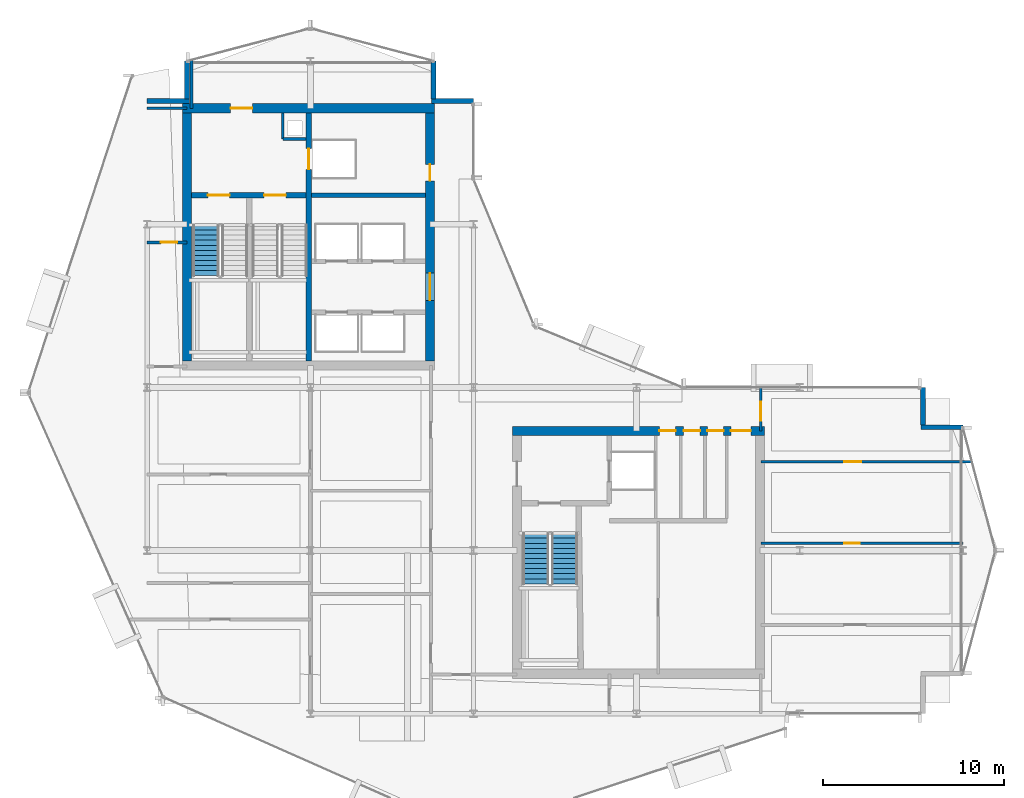
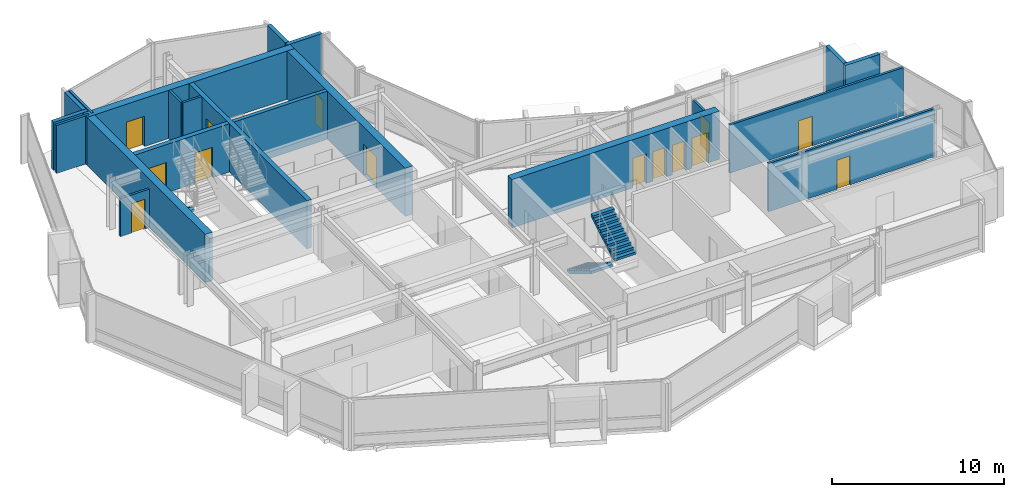
# One storey, part 21 of 28: 21 walls, 14 doors, 3 stair flights, 14 openings, 2 elements without a shape of their own.
"""IFC4 building model written with IfcOpenShell, lengths in metres."""

from ifc_helpers import new_model, si_unit, direction, frame, frame_2d, origin, place, context, subcontext, project, spatial, polyline, rectangle, outline, extrude, material, layer, layer_set, type_object, element, fill, aggregate, save


model = new_model("IFC4")

# Units and contexts
model_context = context("Model", 3, precision=1e-05, world=origin(), true_north=direction((0.0, 1.0)))
body_context = subcontext(model_context, "Body", "Model", "MODEL_VIEW")
ifc_project = project(units=[si_unit("LENGTHUNIT", "METRE"), si_unit("AREAUNIT", "SQUARE_METRE"), si_unit("VOLUMEUNIT", "CUBIC_METRE"), si_unit("PLANEANGLEUNIT", "RADIAN"), si_unit("MASSUNIT", "GRAM", prefix="KILO")], contexts=[model_context])

# Site, building, storey
site_placement = place(None, origin())
site = spatial("IfcSite", under=ifc_project, at=site_placement, CompositionType="ELEMENT")
building_placement = place(site_placement, origin())
building = spatial("IfcBuilding", under=site, at=building_placement, Name="Solvaryn Broadcast Tower", CompositionType="ELEMENT")
storey_placement = place(building_placement, frame((0.0, 0.0, 209.89990234375)))
storey = spatial("IfcBuildingStorey", under=building, at=storey_placement, Name="L52", CompositionType="ELEMENT", Elevation=209.89990234375)

# Wall, opening, door
ifc_material_1 = material(Name="Concrete f'c 70 MPa", Category="concrete")
ifc_layer_1 = layer(ifc_material_1, 0.5)
ifc_layer_set_1 = layer_set([ifc_layer_1], Name="CW-SHEAR-500")
wall_type_1 = type_object("IfcWallType", Name="CW-SHEAR-500", PredefinedType="SHEAR", material=ifc_layer_set_1)
wall_1_placement = place(storey_placement, frame((24.85009765625, 42.39990234375, 0.0), z_axis=(0.0, 0.0, 1.0), x_axis=(-1.0, 0.0, 0.0)))
wall_1 = element("IfcWall", 1, at=wall_1_placement, inside=storey, type_object=wall_type_1, Name="L52 West Core North Shear Wall", PredefinedType="SHEAR", context=body_context, shape_type="SweptSolid", body=[
    extrude(rectangle(XDim=13.900146484375, YDim=0.5, at=frame_2d((6.9501953125, 0.0))), origin(), (0.0, 0.0, 1.0), 3.420166015625),
])
opening_1_placement = place(wall_1_placement, frame((10.050048828125, 0.0, 0.0)))
opening_1 = element("IfcOpeningElement", 2, at=opening_1_placement, cuts=wall_1, Name="Opening FD90A", PredefinedType="OPENING", context=body_context, shape_type="SweptSolid", body=[
    extrude(rectangle(XDim=1.199951171875, YDim=2.14990234375, at=frame_2d((0.60009765625, 1.074951171875))), frame((0.0, 0.260009765625, 0.0), z_axis=(0.0, -1.0, 0.0), x_axis=(1.0, 0.0, 0.0)), (0.0, 0.0, 1.0), 0.52001953125),
])
ifc_material_2 = material(Name="Flush Acoustic Steel and Timber Door Assembly", Category="steel")
door_type_1 = type_object("IfcDoorType", Name="FD90-STAIR-1200X2150", OperationType="NOTDEFINED", PredefinedType="DOOR", material=ifc_material_2)
door_1_placement = place(opening_1_placement, origin())
door_1 = element("IfcDoor", 3, at=door_1_placement, inside=storey, type_object=door_type_1, Name="L52 West FSAE Lobby Corridor Door", OperationType="SINGLE_SWING_LEFT", OverallHeight=2.14990234375, OverallWidth=1.199951171875, PredefinedType="DOOR", context=body_context, shape_type="SweptSolid", body=[
    extrude(rectangle(XDim=1.199951171875, YDim=2.14990234375, at=frame_2d((0.60009765625, 1.074951171875))), frame((0.0, 0.02490234375, 0.0), z_axis=(0.0, -1.0, 0.0), x_axis=(1.0, 0.0, 0.0)), (0.0, 0.0, 1.0), 0.050048828125),
])
fill(opening_1, door_1)

# Wall
wall_2_placement = place(storey_placement, frame((11.199951171875, 42.14990234375, 0.0), z_axis=(0.0, 0.0, 1.0), x_axis=(0.0, -1.0, 0.0)))
element("IfcWall", 4, at=wall_2_placement, inside=storey, type_object=wall_type_1, Name="L52 West Core West Shear Wall", PredefinedType="SHEAR", context=body_context, shape_type="SweptSolid", body=[
    extrude(rectangle(XDim=13.699951171875, YDim=0.5, at=frame_2d((6.85009765625, 0.0))), origin(), (0.0, 0.0, 1.0), 3.420166015625),
])

# Wall, openings, doors
wall_3_placement = place(storey_placement, frame((24.60009765625, 28.449951171875, 0.0), z_axis=(0.0, 0.0, 1.0), x_axis=(0.0, 1.0, 0.0)))
wall_3 = element("IfcWall", 5, at=wall_3_placement, inside=storey, type_object=wall_type_1, Name="L52 West Core East Shear Wall", PredefinedType="SHEAR", context=body_context, shape_type="SweptSolid", body=[
    extrude(rectangle(XDim=13.699951171875, YDim=0.5, at=frame_2d((6.85009765625, 0.0))), origin(), (0.0, 0.0, 1.0), 3.420166015625),
])
opening_2_placement = place(wall_3_placement, frame((3.35009765625, 0.0, 0.0)))
opening_2 = element("IfcOpeningElement", 6, at=opening_2_placement, cuts=wall_3, Name="Opening FD60A", PredefinedType="OPENING", context=body_context, shape_type="SweptSolid", body=[
    extrude(rectangle(XDim=1.5, YDim=2.199951171875, at=frame_2d((0.75, 1.10009765625))), frame((0.0, 0.260009765625, 0.0), z_axis=(0.0, -1.0, 0.0), x_axis=(1.0, 0.0, 0.0)), (0.0, 0.0, 1.0), 0.52001953125),
])
opening_3_placement = place(wall_3_placement, frame((9.949951171875, 0.0, 0.0)))
opening_3 = element("IfcOpeningElement", 7, at=opening_3_placement, cuts=wall_3, Name="Opening FD60C", PredefinedType="OPENING", context=body_context, shape_type="SweptSolid", body=[
    extrude(rectangle(XDim=0.89990234375, YDim=2.10009765625, at=frame_2d((0.449951171875, 1.050048828125))), frame((0.0, 0.260009765625, 0.0), z_axis=(0.0, -1.0, 0.0), x_axis=(1.0, 0.0, 0.0)), (0.0, 0.0, 1.0), 0.52001953125),
])
ifc_material_3 = material(Name="Flush Acoustic Steel and Timber Door Assembly", Category="steel")
door_type_2 = type_object("IfcDoorType", Name="FD60-CORR-1500X2200", OperationType="NOTDEFINED", PredefinedType="DOOR", material=ifc_material_3)
door_2_placement = place(opening_2_placement, origin())
door_2 = element("IfcDoor", 8, at=door_2_placement, inside=storey, type_object=door_type_2, Name="L52 West Elevator Lobby Corridor Door", OperationType="DOUBLE_DOOR_SINGLE_SWING", OverallHeight=2.199951171875, OverallWidth=1.5, PredefinedType="DOOR", context=body_context, shape_type="SweptSolid", body=[
    extrude(rectangle(XDim=1.5, YDim=2.199951171875, at=frame_2d((0.75, 1.10009765625))), frame((0.0, 0.02490234375, 0.0), z_axis=(0.0, -1.0, 0.0), x_axis=(1.0, 0.0, 0.0)), (0.0, 0.0, 1.0), 0.050048828125),
])
fill(opening_2, door_2)
ifc_material_4 = material(Name="Flush Acoustic Steel and Timber Door Assembly", Category="steel")
door_type_3 = type_object("IfcDoorType", Name="FD60-SERV-900X2100", OperationType="NOTDEFINED", PredefinedType="DOOR", material=ifc_material_4)
door_3_placement = place(opening_3_placement, origin())
door_3 = element("IfcDoor", 9, at=door_3_placement, inside=storey, type_object=door_type_3, Name="L52 West Core Service Door 1", OperationType="SINGLE_SWING_LEFT", OverallHeight=2.10009765625, OverallWidth=0.89990234375, PredefinedType="DOOR", context=body_context, shape_type="SweptSolid", body=[
    extrude(rectangle(XDim=0.89990234375, YDim=2.10009765625, at=frame_2d((0.449951171875, 1.050048828125))), frame((0.0, 0.02490234375, 0.0), z_axis=(0.0, -1.0, 0.0), x_axis=(1.0, 0.0, 0.0)), (0.0, 0.0, 1.0), 0.050048828125),
])
fill(opening_3, door_3)

wall_4_placement = place(storey_placement, frame((43.050048828125, 24.60009765625, 0.0), z_axis=(0.0, 0.0, 1.0), x_axis=(-1.0, 0.0, 0.0)))
wall_4 = element("IfcWall", 10, at=wall_4_placement, inside=storey, type_object=wall_type_1, Name="L52 East Core North Shear Wall", PredefinedType="SHEAR", context=body_context, shape_type="SweptSolid", body=[
    extrude(rectangle(XDim=13.900146484375, YDim=0.5, at=frame_2d((6.9501953125, 0.0))), origin(), (0.0, 0.0, 1.0), 3.420166015625),
])
opening_4_placement = place(wall_4_placement, frame((0.75, 0.0, 0.0)))
opening_4 = element("IfcOpeningElement", 11, at=opening_4_placement, cuts=wall_4, Name="Opening FD90C", PredefinedType="OPENING", context=body_context, shape_type="SweptSolid", body=[
    extrude(rectangle(XDim=1.10009765625, YDim=2.14990234375, at=frame_2d((0.550048828125, 1.074951171875))), frame((0.0, 0.260009765625, 0.0), z_axis=(0.0, -1.0, 0.0), x_axis=(1.0, 0.0, 0.0)), (0.0, 0.0, 1.0), 0.52001953125),
])
opening_5_placement = place(wall_4_placement, frame((2.25, 0.0, 0.0)))
opening_5 = element("IfcOpeningElement", 12, at=opening_5_placement, cuts=wall_4, Name="Opening FD60C", PredefinedType="OPENING", context=body_context, shape_type="SweptSolid", body=[
    extrude(rectangle(XDim=0.89990234375, YDim=2.10009765625, at=frame_2d((0.449951171875, 1.050048828125))), frame((0.0, 0.260009765625, 0.0), z_axis=(0.0, -1.0, 0.0), x_axis=(1.0, 0.0, 0.0)), (0.0, 0.0, 1.0), 0.52001953125),
])
opening_6_placement = place(wall_4_placement, frame((3.550048828125, 0.0, 0.0)))
opening_6 = element("IfcOpeningElement", 13, at=opening_6_placement, cuts=wall_4, Name="Opening FD60C", PredefinedType="OPENING", context=body_context, shape_type="SweptSolid", body=[
    extrude(rectangle(XDim=0.89990234375, YDim=2.10009765625, at=frame_2d((0.449951171875, 1.050048828125))), frame((0.0, 0.260009765625, 0.0), z_axis=(0.0, -1.0, 0.0), x_axis=(1.0, 0.0, 0.0)), (0.0, 0.0, 1.0), 0.52001953125),
])
opening_7_placement = place(wall_4_placement, frame((4.89990234375, 0.0, 0.0)))
opening_7 = element("IfcOpeningElement", 14, at=opening_7_placement, cuts=wall_4, Name="Opening FD60C", PredefinedType="OPENING", context=body_context, shape_type="SweptSolid", body=[
    extrude(rectangle(XDim=0.89990234375, YDim=2.10009765625, at=frame_2d((0.449951171875, 1.050048828125))), frame((0.0, 0.260009765625, 0.0), z_axis=(0.0, -1.0, 0.0), x_axis=(1.0, 0.0, 0.0)), (0.0, 0.0, 1.0), 0.52001953125),
])
door_4_placement = place(opening_5_placement, origin())
door_4 = element("IfcDoor", 15, at=door_4_placement, inside=storey, type_object=door_type_3, Name="L52 Core Wellness Room Door", OperationType="SINGLE_SWING_RIGHT", OverallHeight=2.10009765625, OverallWidth=0.89990234375, PredefinedType="DOOR", context=body_context, shape_type="SweptSolid", body=[
    extrude(rectangle(XDim=0.89990234375, YDim=2.10009765625, at=frame_2d((0.449951171875, 1.050048828125))), frame((0.0, 0.02490234375, 0.0), z_axis=(0.0, -1.0, 0.0), x_axis=(1.0, 0.0, 0.0)), (0.0, 0.0, 1.0), 0.050048828125),
])
fill(opening_5, door_4)
door_5_placement = place(opening_6_placement, origin())
door_5 = element("IfcDoor", 16, at=door_5_placement, inside=storey, type_object=door_type_3, Name="L52 Staff Restroom Door", OperationType="SINGLE_SWING_LEFT", OverallHeight=2.10009765625, OverallWidth=0.89990234375, PredefinedType="DOOR", context=body_context, shape_type="SweptSolid", body=[
    extrude(rectangle(XDim=0.89990234375, YDim=2.10009765625, at=frame_2d((0.449951171875, 1.050048828125))), frame((0.0, 0.02490234375, 0.0), z_axis=(0.0, -1.0, 0.0), x_axis=(1.0, 0.0, 0.0)), (0.0, 0.0, 1.0), 0.050048828125),
])
fill(opening_6, door_5)
door_6_placement = place(opening_7_placement, origin())
door_6 = element("IfcDoor", 17, at=door_6_placement, inside=storey, type_object=door_type_3, Name="L52 Accessible WC Door", OperationType="SINGLE_SWING_RIGHT", OverallHeight=2.10009765625, OverallWidth=0.89990234375, PredefinedType="DOOR", context=body_context, shape_type="SweptSolid", body=[
    extrude(rectangle(XDim=0.89990234375, YDim=2.10009765625, at=frame_2d((0.449951171875, 1.050048828125))), frame((0.0, 0.02490234375, 0.0), z_axis=(0.0, -1.0, 0.0), x_axis=(1.0, 0.0, 0.0)), (0.0, 0.0, 1.0), 0.050048828125),
])
fill(opening_7, door_6)
ifc_material_5 = material(Name="Flush Acoustic Steel and Timber Door Assembly", Category="steel")
door_type_4 = type_object("IfcDoorType", Name="FD90-PLANT-1100X2150", OperationType="NOTDEFINED", PredefinedType="DOOR", material=ifc_material_5)
door_7_placement = place(opening_4_placement, origin())
door_7 = element("IfcDoor", 18, at=door_7_placement, inside=storey, type_object=door_type_4, Name="L52 East Core Lobby Corridor Door", OperationType="SINGLE_SWING_LEFT", OverallHeight=2.14990234375, OverallWidth=1.10009765625, PredefinedType="DOOR", context=body_context, shape_type="SweptSolid", body=[
    extrude(rectangle(XDim=1.10009765625, YDim=2.14990234375, at=frame_2d((0.550048828125, 1.074951171875))), frame((0.0, 0.02490234375, 0.0), z_axis=(0.0, -1.0, 0.0), x_axis=(1.0, 0.0, 0.0)), (0.0, 0.0, 1.0), 0.050048828125),
])
fill(opening_4, door_7)

# Walls
ifc_material_6 = material(Name="Concrete f'c 50 MPa", Category="concrete")
ifc_layer_2 = layer(ifc_material_6, 0.260009765625)
ifc_layer_set_2 = layer_set([ifc_layer_2], Name="EW-PIER-260")
wall_type_2 = type_object("IfcWallType", Name="EW-PIER-260", PredefinedType="SOLIDWALL", material=ifc_layer_set_2)
wall_5_placement = place(storey_placement, frame((9.0, 42.800048828125, 0.0), z_axis=(0.0, 0.0, 1.0), x_axis=(1.0, 0.0, 0.0)))
element("IfcWall", 19, at=wall_5_placement, inside=storey, type_object=wall_type_2, Name="L52 Notched Corner Pier Wall NNW1", PredefinedType="SOLIDWALL", context=body_context, shape_type="SweptSolid", body=[
    extrude(rectangle(XDim=2.320068359375, YDim=0.260009765625, at=frame_2d((1.16015625, 0.0))), origin(), (0.0, 0.0, 1.0), 3.420166015625),
])
for number, where, z_axis, x_axis, name in (
    (20, (11.199951171875, 42.919921875, 0.0), (0.0, 0.0, 1.0), (0.0, 1.0, 0.0), "L52 Notched Corner Pier Wall NNW2"),
    (21, (24.800048828125, 45.0, 0.0), (0.0, 0.0, 1.0), (0.0, -1.0, 0.0), "L52 Notched Corner Pier Wall NNE1"),
):
    element("IfcWall", number, at=place(storey_placement, frame(where, z_axis=z_axis, x_axis=x_axis)), inside=storey, type_object=wall_type_2, Name=name, PredefinedType="SOLIDWALL", context=body_context, shape_type="SweptSolid", body=[
        extrude(rectangle(XDim=2.080078125, YDim=0.260009765625, at=frame_2d((1.0400390625, 0.0))), origin(), (0.0, 0.0, 1.0), 3.420166015625),
    ])
for number, where, z_axis, x_axis, name in (
    (22, (24.679931640625, 42.800048828125, 0.0), (0.0, 0.0, 1.0), (1.0, 0.0, 0.0), "L52 Notched Corner Pier Wall NNE2"),
    (23, (54.0, 24.800048828125, 0.0), (0.0, 0.0, 1.0), (-1.0, 0.0, 0.0), "L52 Notched Corner Pier Wall NEE1"),
):
    element("IfcWall", number, at=place(storey_placement, frame(where, z_axis=z_axis, x_axis=x_axis)), inside=storey, type_object=wall_type_2, Name=name, PredefinedType="SOLIDWALL", context=body_context, shape_type="SweptSolid", body=[
        extrude(rectangle(XDim=2.320068359375, YDim=0.260009765625, at=frame_2d((1.16015625, 0.0))), origin(), (0.0, 0.0, 1.0), 3.420166015625),
    ])
wall_6_placement = place(storey_placement, frame((51.800048828125, 24.919921875, 0.0), z_axis=(0.0, 0.0, 1.0), x_axis=(0.0, 1.0, 0.0)))
element("IfcWall", 24, at=wall_6_placement, inside=storey, type_object=wall_type_2, Name="L52 Notched Corner Pier Wall NEE2", PredefinedType="SOLIDWALL", context=body_context, shape_type="SweptSolid", body=[
    extrude(rectangle(XDim=2.080078125, YDim=0.260009765625, at=frame_2d((1.0400390625, 0.0))), origin(), (0.0, 0.0, 1.0), 3.420166015625),
])
ifc_material_7 = material(Name="Metal-Stud Service Core Partition")
ifc_layer_3 = layer(ifc_material_7, 0.14990234375)
ifc_layer_set_3 = layer_set([ifc_layer_3], Name="IW-PART-150")
wall_type_3 = type_object("IfcWallType", Name="IW-PART-150", PredefinedType="PARTITIONING", material=ifc_layer_set_3)
wall_7_placement = place(storey_placement, frame((16.47998046875, 40.699951171875, 0.0), z_axis=(0.0, 0.0, 1.0), x_axis=(1.0, 0.0, 0.0)))
element("IfcWall", 25, at=wall_7_placement, inside=storey, type_object=wall_type_3, Name="L52 West Core Riser Shaft South Wall", PredefinedType="PARTITIONING", context=body_context, shape_type="SweptSolid", body=[
    extrude(rectangle(XDim=1.2900390625, YDim=0.14990234375, at=frame_2d((0.64501953125, 0.0))), origin(), (0.0, 0.0, 1.0), 3.420166015625),
])
wall_8_placement = place(storey_placement, frame((16.47998046875, 40.699951171875, 0.0), z_axis=(0.0, 0.0, 1.0), x_axis=(0.0, 1.0, 0.0)))
element("IfcWall", 26, at=wall_8_placement, inside=storey, type_object=wall_type_3, Name="L52 West Core Riser Shaft West Wall", PredefinedType="PARTITIONING", context=body_context, shape_type="SweptSolid", body=[
    extrude(rectangle(XDim=1.449951171875, YDim=0.14990234375, at=frame_2d((0.72509765625, 0.0))), origin(), (0.0, 0.0, 1.0), 3.420166015625),
])

# Wall, opening, door
wall_9_placement = place(storey_placement, frame((9.0, 35.0, 0.0), z_axis=(0.0, 0.0, 1.0), x_axis=(1.0, 0.0, 0.0)))
wall_9 = element("IfcWall", 27, at=wall_9_placement, inside=storey, type_object=wall_type_3, Name="L52 Interior Partition IW-L52-WM-M", PredefinedType="PARTITIONING", context=body_context, shape_type="SweptSolid", body=[
    extrude(rectangle(XDim=2.199951171875, YDim=0.14990234375, at=frame_2d((1.10009765625, 0.0))), origin(), (0.0, 0.0, 1.0), 2.70703125),
])
opening_8_placement = place(wall_9_placement, frame((0.75, 0.0, 0.0)))
opening_8 = element("IfcOpeningElement", 28, at=opening_8_placement, cuts=wall_9, Name="Opening FD60C", PredefinedType="OPENING", context=body_context, shape_type="SweptSolid", body=[
    extrude(rectangle(XDim=0.89990234375, YDim=2.10009765625, at=frame_2d((0.449951171875, 1.050048828125))), frame((0.0, 0.0849609375, 0.0), z_axis=(0.0, -1.0, 0.0), x_axis=(1.0, 0.0, 0.0)), (0.0, 0.0, 1.0), 0.169921875),
])
door_8_placement = place(opening_8_placement, origin())
door_8 = element("IfcDoor", 29, at=door_8_placement, inside=storey, type_object=door_type_3, Name="L52 Door DR-L52-WM1", OperationType="SINGLE_SWING_LEFT", OverallHeight=2.10009765625, OverallWidth=0.89990234375, PredefinedType="DOOR", context=body_context, shape_type="SweptSolid", body=[
    extrude(rectangle(XDim=0.89990234375, YDim=2.10009765625, at=frame_2d((0.449951171875, 1.050048828125))), frame((0.0, 0.02490234375, 0.0), z_axis=(0.0, -1.0, 0.0), x_axis=(1.0, 0.0, 0.0)), (0.0, 0.0, 1.0), 0.050048828125),
])
fill(opening_8, door_8)

# Walls
ifc_material_8 = material(Name="Metal-Stud Gypsum Office Partition")
ifc_layer_4 = layer(ifc_material_8, 0.159912109375)
ifc_layer_set_4 = layer_set([ifc_layer_4], Name="IW-PART-160")
wall_type_4 = type_object("IfcWallType", Name="IW-PART-160", PredefinedType="PARTITIONING", material=ifc_layer_set_4)
wall_10_placement = place(storey_placement, frame((9.0, 42.39990234375, 0.0), z_axis=(0.0, 0.0, 1.0), x_axis=(1.0, 0.0, 0.0)))
element("IfcWall", 30, at=wall_10_placement, inside=storey, type_object=wall_type_4, Name="L52 Interior Partition IW-L52-WM-N", PredefinedType="PARTITIONING", context=body_context, shape_type="SweptSolid", body=[
    extrude(rectangle(XDim=2.199951171875, YDim=0.159912109375, at=frame_2d((1.10009765625, 0.0))), origin(), (0.0, 0.0, 1.0), 3.420166015625),
])
wall_11_placement = place(storey_placement, frame((11.449951171875, 42.39990234375, 0.0), z_axis=(0.0, 0.0, 1.0), x_axis=(0.0, 1.0, 0.0)))
element("IfcWall", 31, at=wall_11_placement, inside=storey, type_object=wall_type_4, Name="L52 Interior Partition IW-L52-WM-E", PredefinedType="PARTITIONING", context=body_context, shape_type="SweptSolid", body=[
    extrude(rectangle(XDim=2.666015625, YDim=0.159912109375, at=frame_2d((1.3330078125, 0.0))), origin(), (0.0, 0.0, 1.0), 3.420166015625),
])

# Wall, opening, door
wall_12_placement = place(storey_placement, frame((42.85009765625, 24.60009765625, 0.0), z_axis=(0.0, 0.0, 1.0), x_axis=(0.0, 1.0, 0.0)))
wall_12 = element("IfcWall", 32, at=wall_12_placement, inside=storey, type_object=wall_type_4, Name="L52 Interior Partition IW-L52-EW-BN", PredefinedType="PARTITIONING", context=body_context, shape_type="SweptSolid", body=[
    extrude(rectangle(XDim=2.39990234375, YDim=0.159912109375, at=frame_2d((1.199951171875, 0.0))), origin(), (0.0, 0.0, 1.0), 2.70703125),
])
opening_9_placement = place(wall_12_placement, frame((0.550048828125, 0.0, 0.0)))
opening_9 = element("IfcOpeningElement", 33, at=opening_9_placement, cuts=wall_12, Name="Opening ID03", PredefinedType="OPENING", context=body_context, shape_type="SweptSolid", body=[
    extrude(rectangle(XDim=1.050048828125, YDim=2.14990234375, at=frame_2d((0.52490234375, 1.074951171875))), frame((0.0, 0.090087890625, 0.0), z_axis=(0.0, -1.0, 0.0), x_axis=(1.0, 0.0, 0.0)), (0.0, 0.0, 1.0), 0.179931640625),
])
ifc_material_9 = material(Name="Flush Acoustic Steel and Timber Door Assembly", Category="steel")
door_type_5 = type_object("IfcDoorType", Name="ID-03-1050X2150", OperationType="NOTDEFINED", PredefinedType="DOOR", material=ifc_material_9)
door_9_placement = place(opening_9_placement, origin())
door_9 = element("IfcDoor", 34, at=door_9_placement, inside=storey, type_object=door_type_5, Name="L52 Door DR-L52-EW0", OperationType="SINGLE_SWING_RIGHT", OverallHeight=2.14990234375, OverallWidth=1.050048828125, PredefinedType="DOOR", context=body_context, shape_type="SweptSolid", body=[
    extrude(rectangle(XDim=1.050048828125, YDim=2.14990234375, at=frame_2d((0.52490234375, 1.074951171875))), frame((0.0, 0.02490234375, 0.0), z_axis=(0.0, -1.0, 0.0), x_axis=(1.0, 0.0, 0.0)), (0.0, 0.0, 1.0), 0.050048828125),
])
fill(opening_9, door_9)

wall_13_placement = place(storey_placement, frame((42.85009765625, 18.39990234375, 0.0), z_axis=(0.0, 0.0, 1.0), x_axis=(1.0, 0.0, 0.0)))
wall_13 = element("IfcWall", 35, at=wall_13_placement, inside=storey, type_object=wall_type_4, Name="L52 Interior Partition IW-L52-EW-H2", PredefinedType="PARTITIONING", context=body_context, shape_type="SweptSolid", body=[
    extrude(rectangle(XDim=11.14990234375, YDim=0.159912109375, at=frame_2d((5.574951171875, 0.0))), origin(), (0.0, 0.0, 1.0), 3.420166015625),
])
opening_10_placement = place(wall_13_placement, frame((4.60009765625, 0.0, 0.0)))
opening_10 = element("IfcOpeningElement", 36, at=opening_10_placement, cuts=wall_13, Name="Opening ID07", PredefinedType="OPENING", context=body_context, shape_type="SweptSolid", body=[
    extrude(rectangle(XDim=0.860107421875, YDim=2.050048828125, at=frame_2d((0.43017578125, 1.02490234375))), frame((0.0, 0.090087890625, 0.0), z_axis=(0.0, -1.0, 0.0), x_axis=(1.0, 0.0, 0.0)), (0.0, 0.0, 1.0), 0.179931640625),
])
ifc_material_10 = material(Name="Flush Acoustic Steel and Timber Door Assembly", Category="steel")
door_type_6 = type_object("IfcDoorType", Name="ID-07-860X2050", OperationType="NOTDEFINED", PredefinedType="DOOR", material=ifc_material_10)
door_10_placement = place(opening_10_placement, origin())
door_10 = element("IfcDoor", 37, at=door_10_placement, inside=storey, type_object=door_type_6, Name="L52 Door DR-L52-EW-2", OperationType="SINGLE_SWING_RIGHT", OverallHeight=2.050048828125, OverallWidth=0.860107421875, PredefinedType="DOOR", context=body_context, shape_type="SweptSolid", body=[
    extrude(rectangle(XDim=0.860107421875, YDim=2.050048828125, at=frame_2d((0.43017578125, 1.02490234375))), frame((0.0, 0.02490234375, 0.0), z_axis=(0.0, -1.0, 0.0), x_axis=(1.0, 0.0, 0.0)), (0.0, 0.0, 1.0), 0.050048828125),
])
fill(opening_10, door_10)

wall_14_placement = place(storey_placement, frame((42.85009765625, 22.89990234375, 0.0), z_axis=(0.0, 0.0, 1.0), x_axis=(1.0, 0.0, 0.0)))
wall_14 = element("IfcWall", 38, at=wall_14_placement, inside=storey, type_object=wall_type_4, Name="L52 Interior Partition IW-L52-EW-H3", PredefinedType="PARTITIONING", context=body_context, shape_type="SweptSolid", body=[
    extrude(rectangle(XDim=11.65283203125, YDim=0.159912109375, at=frame_2d((5.826416015625, 0.0))), origin(), (0.0, 0.0, 1.0), 3.420166015625),
])
opening_11_placement = place(wall_14_placement, frame((4.60009765625, 0.0, 0.0)))
opening_11 = element("IfcOpeningElement", 39, at=opening_11_placement, cuts=wall_14, Name="Opening ID01", PredefinedType="OPENING", context=body_context, shape_type="SweptSolid", body=[
    extrude(rectangle(XDim=0.949951171875, YDim=2.10009765625, at=frame_2d((0.47509765625, 1.050048828125))), frame((0.0, 0.090087890625, 0.0), z_axis=(0.0, -1.0, 0.0), x_axis=(1.0, 0.0, 0.0)), (0.0, 0.0, 1.0), 0.179931640625),
])
ifc_material_11 = material(Name="Flush Acoustic Steel and Timber Door Assembly", Category="steel")
door_type_7 = type_object("IfcDoorType", Name="ID-01-950X2100", OperationType="NOTDEFINED", PredefinedType="DOOR", material=ifc_material_11)
door_11_placement = place(opening_11_placement, origin())
door_11 = element("IfcDoor", 40, at=door_11_placement, inside=storey, type_object=door_type_7, Name="L52 Door DR-L52-EW-3", OperationType="SINGLE_SWING_LEFT", OverallHeight=2.10009765625, OverallWidth=0.949951171875, PredefinedType="DOOR", context=body_context, shape_type="SweptSolid", body=[
    extrude(rectangle(XDim=0.949951171875, YDim=2.10009765625, at=frame_2d((0.47509765625, 1.050048828125))), frame((0.0, 0.02490234375, 0.0), z_axis=(0.0, -1.0, 0.0), x_axis=(1.0, 0.0, 0.0)), (0.0, 0.0, 1.0), 0.050048828125),
])
fill(opening_11, door_11)

# Wall
ifc_material_12 = material(Name="Concrete f'c 60 MPa", Category="concrete")
ifc_layer_5 = layer(ifc_material_12, 0.25)
ifc_layer_set_5 = layer_set([ifc_layer_5], Name="SW-SHAFT-250")
wall_type_5 = type_object("IfcWallType", Name="SW-SHAFT-250", PredefinedType="PARTITIONING", material=ifc_layer_set_5)
wall_15_placement = place(storey_placement, frame((18.070068359375, 37.60009765625, 0.0), z_axis=(0.0, 0.0, 1.0), x_axis=(1.0, 0.0, 0.0)))
element("IfcWall", 41, at=wall_15_placement, inside=storey, type_object=wall_type_5, Name="L52 West Core FSAE Hoistway Front Wall", PredefinedType="PARTITIONING", context=body_context, shape_type="SweptSolid", body=[
    extrude(rectangle(XDim=6.280029296875, YDim=0.25, at=frame_2d((3.14013671875, 0.0))), origin(), (0.0, 0.0, 1.0), 3.420166015625),
])

# Wall, opening, door
ifc_material_13 = material(Name="Concrete f'c 70 MPa", Category="concrete")
ifc_layer_6 = layer(ifc_material_13, 0.300048828125)
ifc_layer_set_6 = layer_set([ifc_layer_6], Name="SW-SHAFT-300")
wall_type_6 = type_object("IfcWallType", Name="SW-SHAFT-300", PredefinedType="SHEAR", material=ifc_layer_set_6)
wall_16_placement = place(storey_placement, frame((17.919921875, 42.14990234375, 0.0), z_axis=(0.0, 0.0, 1.0), x_axis=(0.0, -1.0, 0.0)))
wall_16 = element("IfcWall", 42, at=wall_16_placement, inside=storey, type_object=wall_type_6, Name="L52 West Core Stair-Lobby Shear Wall", PredefinedType="SHEAR", context=body_context, shape_type="SweptSolid", body=[
    extrude(rectangle(XDim=13.699951171875, YDim=0.300048828125, at=frame_2d((6.85009765625, 0.0))), origin(), (0.0, 0.0, 1.0), 3.420166015625),
])
opening_12_placement = place(wall_16_placement, frame((1.97509765625, 0.0, 0.0)))
opening_12 = element("IfcOpeningElement", 43, at=opening_12_placement, cuts=wall_16, Name="Opening LD01", PredefinedType="OPENING", context=body_context, shape_type="SweptSolid", body=[
    extrude(rectangle(XDim=1.14990234375, YDim=2.14990234375, at=frame_2d((0.574951171875, 1.074951171875))), frame((0.0, 0.159912109375, 0.0), z_axis=(0.0, -1.0, 0.0), x_axis=(1.0, 0.0, 0.0)), (0.0, 0.0, 1.0), 0.320068359375),
])
ifc_material_14 = material(Name="Flush Acoustic Steel and Timber Door Assembly", Category="steel")
door_type_8 = type_object("IfcDoorType", Name="LD-LIFT-1150X2150", OperationType="NOTDEFINED", PredefinedType="DOOR", material=ifc_material_14)
door_12_placement = place(opening_12_placement, origin())
door_12 = element("IfcDoor", 44, at=door_12_placement, inside=storey, type_object=door_type_8, Name="L52 FL1 Lift Landing Door", OperationType="DOUBLE_DOOR_SLIDING", OverallHeight=2.14990234375, OverallWidth=1.14990234375, PredefinedType="DOOR", context=body_context, shape_type="SweptSolid", body=[
    extrude(rectangle(XDim=1.14990234375, YDim=2.14990234375, at=frame_2d((0.574951171875, 1.074951171875))), frame((0.0, 0.02490234375, 0.0), z_axis=(0.0, -1.0, 0.0), x_axis=(1.0, 0.0, 0.0)), (0.0, 0.0, 1.0), 0.050048828125),
])
fill(opening_12, door_12)

# Wall, openings, doors
wall_17_placement = place(storey_placement, frame((17.77001953125, 37.60009765625, 0.0), z_axis=(0.0, 0.0, 1.0), x_axis=(-1.0, 0.0, 0.0)))
wall_17 = element("IfcWall", 45, at=wall_17_placement, inside=storey, type_object=wall_type_6, Name="L52 West Core FSAE Lobby South Wall", PredefinedType="SHEAR", context=body_context, shape_type="SweptSolid", body=[
    extrude(rectangle(XDim=6.320068359375, YDim=0.300048828125, at=frame_2d((3.16015625, 0.0))), origin(), (0.0, 0.0, 1.0), 3.420166015625),
])
opening_13_placement = place(wall_17_placement, frame((4.219970703125, 0.0, 0.0)))
opening_13 = element("IfcOpeningElement", 46, at=opening_13_placement, cuts=wall_17, Name="Opening FD90A", PredefinedType="OPENING", context=body_context, shape_type="SweptSolid", body=[
    extrude(rectangle(XDim=1.199951171875, YDim=2.14990234375, at=frame_2d((0.60009765625, 1.074951171875))), frame((0.0, 0.159912109375, 0.0), z_axis=(0.0, -1.0, 0.0), x_axis=(1.0, 0.0, 0.0)), (0.0, 0.0, 1.0), 0.320068359375),
])
opening_14_placement = place(wall_17_placement, frame((1.1201171875, 0.0, 0.0)))
opening_14 = element("IfcOpeningElement", 47, at=opening_14_placement, cuts=wall_17, Name="Opening FD90A", PredefinedType="OPENING", context=body_context, shape_type="SweptSolid", body=[
    extrude(rectangle(XDim=1.199951171875, YDim=2.14990234375, at=frame_2d((0.60009765625, 1.074951171875))), frame((0.0, 0.159912109375, 0.0), z_axis=(0.0, -1.0, 0.0), x_axis=(1.0, 0.0, 0.0)), (0.0, 0.0, 1.0), 0.320068359375),
])
door_13_placement = place(opening_13_placement, origin())
door_13 = element("IfcDoor", 48, at=door_13_placement, inside=storey, type_object=door_type_1, Name="L52 Stair 1 Fire Door", OperationType="SINGLE_SWING_LEFT", OverallHeight=2.14990234375, OverallWidth=1.199951171875, PredefinedType="DOOR", context=body_context, shape_type="SweptSolid", body=[
    extrude(rectangle(XDim=1.199951171875, YDim=2.14990234375, at=frame_2d((0.60009765625, 1.074951171875))), frame((0.0, 0.02490234375, 0.0), z_axis=(0.0, -1.0, 0.0), x_axis=(1.0, 0.0, 0.0)), (0.0, 0.0, 1.0), 0.050048828125),
])
fill(opening_13, door_13)
door_14_placement = place(opening_14_placement, origin())
door_14 = element("IfcDoor", 49, at=door_14_placement, inside=storey, type_object=door_type_1, Name="L52 Stair 2 Fire Door", OperationType="SINGLE_SWING_RIGHT", OverallHeight=2.14990234375, OverallWidth=1.199951171875, PredefinedType="DOOR", context=body_context, shape_type="SweptSolid", body=[
    extrude(rectangle(XDim=1.199951171875, YDim=2.14990234375, at=frame_2d((0.60009765625, 1.074951171875))), frame((0.0, 0.02490234375, 0.0), z_axis=(0.0, -1.0, 0.0), x_axis=(1.0, 0.0, 0.0)), (0.0, 0.0, 1.0), 0.050048828125),
])
fill(opening_14, door_14)

# Stair, stair flight
ifc_material_15 = material(Name="Concrete f'c 60 MPa", Category="concrete")
stair_type = type_object("IfcStairType", Name="ST-CORE", PredefinedType="HALF_TURN_STAIR", material=ifc_material_15)
stair_1_placement = place(storey_placement, origin())
stair_1 = element("IfcStair", 50, at=stair_1_placement, inside=storey, type_object=stair_type, Name="L52 ST1", PredefinedType="HALF_TURN_STAIR")
ifc_material_16 = material(Name="Concrete f'c 60 MPa", Category="concrete")
ifc_layer_7 = layer(ifc_material_16, 0.159912109375)
ifc_layer_set_7 = layer_set([ifc_layer_7], Name="SF-CORE")
stair_flight_type = type_object("IfcStairFlightType", Name="SF-CORE", PredefinedType="STRAIGHT", material=ifc_layer_set_7)
stair_flight_1_placement = place(storey_placement, frame((12.239990234375, 35.9599609375, 0.0), z_axis=(0.0, 0.0, 1.0), x_axis=(0.0, -1.0, 0.0)))
stair_flight_1 = element("IfcStairFlight", 51, at=stair_flight_1_placement, type_object=stair_flight_type, Name="ST1 flight 1", NumberOfRisers=11, NumberOfTreads=10, PredefinedType="STRAIGHT", RiserHeight=0.168181818, TreadLength=0.28, context=body_context, shape_type="SweptSolid", body=[
    extrude(outline(polyline([(0.0, 0.0), (0.0, 0.168212890625), (0.280029296875, 0.168212890625), (0.280029296875, 0.33642578125), (0.56005859375, 0.33642578125), (0.56005859375, 0.504638671875), (0.840087890625, 0.504638671875), (0.840087890625, 0.672607421875), (1.1201171875, 0.672607421875), (1.1201171875, 0.8408203125), (1.39990234375, 0.8408203125), (1.39990234375, 1.009033203125), (1.679931640625, 1.009033203125), (1.679931640625, 1.17724609375), (1.9599609375, 1.17724609375), (1.9599609375, 1.345458984375), (2.239990234375, 1.345458984375), (2.239990234375, 1.513671875), (2.52001953125, 1.513671875), (2.52001953125, 1.681884765625), (2.800048828125, 1.681884765625), (2.800048828125, 1.85009765625), (2.800048828125, 1.5068359375), (0.291015625, 0.0), (0.0, 0.0)])), frame((0.0, 0.719970703125, 0.0), z_axis=(0.0, -1.0, 0.0), x_axis=(1.0, 0.0, 0.0)), (0.0, 0.0, 1.0), 1.43994140625),
])
aggregate(stair_1, [stair_flight_1])

# Stair, stair flights
stair_2_placement = place(storey_placement, origin())
stair_2 = element("IfcStair", 52, at=stair_2_placement, inside=storey, type_object=stair_type, Name="L52 ST3", PredefinedType="HALF_TURN_STAIR")
stair_flight_2_placement = place(storey_placement, frame((30.43994140625, 18.9599609375, 0.0), z_axis=(0.0, 0.0, 1.0), x_axis=(0.0, -1.0, 0.0)))
stair_flight_2 = element("IfcStairFlight", 53, at=stair_flight_2_placement, type_object=stair_flight_type, Name="ST3 flight 1", NumberOfRisers=11, NumberOfTreads=10, PredefinedType="STRAIGHT", RiserHeight=0.168181818, TreadLength=0.28, context=body_context, shape_type="SweptSolid", body=[
    extrude(outline(polyline([(0.0, 0.0), (0.0, 0.168212890625), (0.280029296875, 0.168212890625), (0.280029296875, 0.33642578125), (0.56005859375, 0.33642578125), (0.56005859375, 0.504638671875), (0.840087890625, 0.504638671875), (0.840087890625, 0.672607421875), (1.1201171875, 0.672607421875), (1.1201171875, 0.8408203125), (1.39990234375, 0.8408203125), (1.39990234375, 1.009033203125), (1.679931640625, 1.009033203125), (1.679931640625, 1.17724609375), (1.9599609375, 1.17724609375), (1.9599609375, 1.345458984375), (2.239990234375, 1.345458984375), (2.239990234375, 1.513671875), (2.52001953125, 1.513671875), (2.52001953125, 1.681884765625), (2.800048828125, 1.681884765625), (2.800048828125, 1.85009765625), (2.800048828125, 1.5068359375), (0.291015625, 0.0), (0.0, 0.0)])), frame((0.0, 0.719970703125, 0.0), z_axis=(0.0, -1.0, 0.0), x_axis=(1.0, 0.0, 0.0)), (0.0, 0.0, 1.0), 1.43994140625),
])
stair_flight_3_placement = place(storey_placement, frame((32.030029296875, 16.159912109375, 1.85009765625), z_axis=(0.0, 0.0, 1.0), x_axis=(0.0, 1.0, 0.0)))
stair_flight_3 = element("IfcStairFlight", 54, at=stair_flight_3_placement, type_object=stair_flight_type, Name="ST3 flight 2", NumberOfRisers=11, NumberOfTreads=10, PredefinedType="STRAIGHT", RiserHeight=0.168181818, TreadLength=0.28, context=body_context, shape_type="SweptSolid", body=[
    extrude(outline(polyline([(0.0, 0.0), (0.0, 0.168212890625), (0.280029296875, 0.168212890625), (0.280029296875, 0.33642578125), (0.56005859375, 0.33642578125), (0.56005859375, 0.504638671875), (0.840087890625, 0.504638671875), (0.840087890625, 0.672607421875), (1.1201171875, 0.672607421875), (1.1201171875, 0.8408203125), (1.39990234375, 0.8408203125), (1.39990234375, 1.009033203125), (1.679931640625, 1.009033203125), (1.679931640625, 1.17724609375), (1.9599609375, 1.17724609375), (1.9599609375, 1.345458984375), (2.239990234375, 1.345458984375), (2.239990234375, 1.513671875), (2.52001953125, 1.513671875), (2.52001953125, 1.681884765625), (2.800048828125, 1.681884765625), (2.800048828125, 1.85009765625), (2.800048828125, 1.5068359375), (0.291015625, 0.0), (0.0, 0.0)])), frame((0.0, 0.719970703125, 0.0), z_axis=(0.0, -1.0, 0.0), x_axis=(1.0, 0.0, 0.0)), (0.0, 0.0, 1.0), 1.43994140625),
])
aggregate(stair_2, [stair_flight_2, stair_flight_3])

save(model, "model.ifc")
